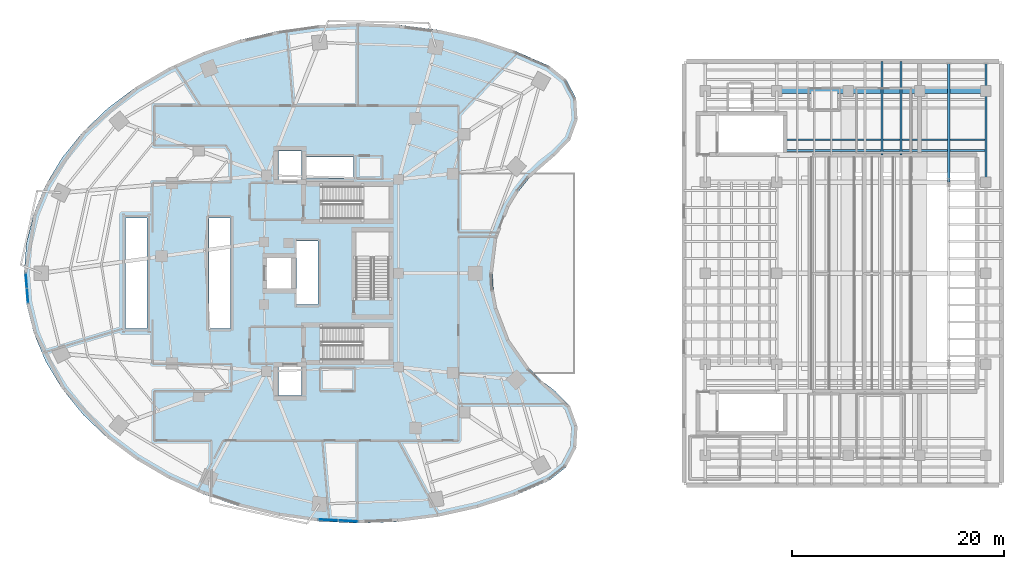
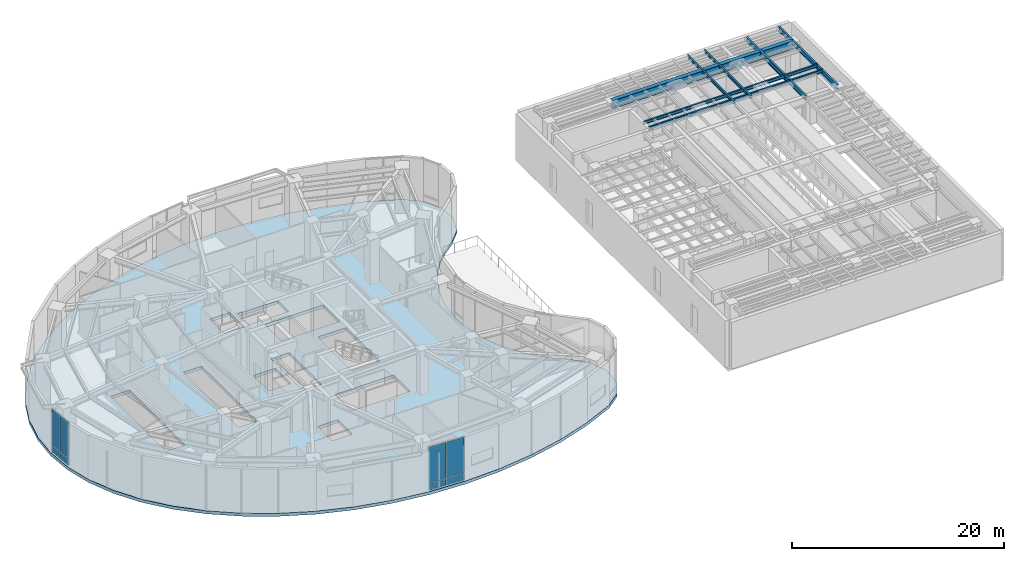
# One storey, part 9 of 19: 8 beams, 8 plates, 1 slab, 2 elements without a shape of their own.
"""IFC4 building model written with IfcOpenShell, lengths in metres."""

from ifc_helpers import new_model, si_unit, direction, frame, origin, origin_2d, place, context, subcontext, project, spatial, polyline, rectangle, i_section, outline, extrude, material, layer, layer_set, material_profile, profile_set, type_object, element, aggregate, save


model = new_model("IFC4")

# Units and contexts
model_context = context("Model", 3, precision=1e-05, world=origin(), true_north=direction((0.0, 1.0)))
body_context = subcontext(model_context, "Body", "Model", "MODEL_VIEW")
ifc_project = project(units=[si_unit("LENGTHUNIT", "METRE"), si_unit("AREAUNIT", "SQUARE_METRE"), si_unit("VOLUMEUNIT", "CUBIC_METRE"), si_unit("PLANEANGLEUNIT", "RADIAN"), si_unit("MASSUNIT", "GRAM", prefix="KILO")], contexts=[model_context])

# Site, building, storey
site_placement = place(None, origin())
site = spatial("IfcSite", under=ifc_project, at=site_placement, CompositionType="ELEMENT")
building_placement = place(site_placement, origin())
building = spatial("IfcBuilding", under=site, at=building_placement, Name="Korentha Bioscience Tower", CompositionType="ELEMENT")
storey_placement = place(building_placement, frame((0.0, 0.0, 20.39990234375)))
storey = spatial("IfcBuildingStorey", under=building, at=storey_placement, Name="L04", CompositionType="ELEMENT", Elevation=20.39990234375)

# Beams
ifc_material_1 = material(Name="Steel S355", Category="steel")
ifc_material_profile_1 = material_profile(ifc_material_1, i_section(OverallWidth=0.208984375, OverallDepth=0.532958984375, WebThickness=0.01025390625, FlangeThickness=0.015625, at=origin_2d()), Name="Steel S355")
ifc_profile_set_1 = profile_set([ifc_material_profile_1], Name="Steel S355 (SB-530)")
beam_type_1 = type_object("IfcBeamType", Name="Perimeter Ring Spandrel Girder W530x92", PredefinedType="SPANDREL", material=ifc_profile_set_1)
beam_1_placement = place(storey_placement, frame((89.5, 35.60009765625, 5.133544921875), z_axis=(0.0, 1.0, 0.0), x_axis=(-1.0, 0.0, 0.0)))
element("IfcBeam", 1, at=beam_1_placement, inside=storey, type_object=beam_type_1, Name="L04 Theatre Collector Girder 3-3", PredefinedType="SPANDREL", context=body_context, shape_type="SweptSolid", body=[
    extrude(i_section(OverallWidth=0.208984375, OverallDepth=0.532958984375, WebThickness=0.01025390625, FlangeThickness=0.015625, at=origin_2d()), origin(), (0.0, 0.0, 1.0), 11.18994140625),
])
beam_2_placement = place(storey_placement, frame((93.0, 35.60009765625, 5.133544921875), z_axis=(0.0, 1.0, 0.0), x_axis=(-1.0, 0.0, 0.0)))
element("IfcBeam", 2, at=beam_2_placement, inside=storey, type_object=beam_type_1, Name="L04 Theatre Collector Girder 4-5", PredefinedType="SPANDREL", context=body_context, shape_type="SweptSolid", body=[
    extrude(i_section(OverallWidth=0.208984375, OverallDepth=0.532958984375, WebThickness=0.01025390625, FlangeThickness=0.015625, at=origin_2d()), origin(), (0.0, 0.0, 1.0), 8.599853515625),
])
beam_3_placement = place(storey_placement, frame((93.0, 44.199951171875, 5.133544921875), z_axis=(0.0, 1.0, 0.0), x_axis=(-1.0, 0.0, 0.0)))
element("IfcBeam", 3, at=beam_3_placement, inside=storey, type_object=beam_type_1, Name="L04 Theatre Collector Girder 4-6", PredefinedType="SPANDREL", context=body_context, shape_type="SweptSolid", body=[
    extrude(i_section(OverallWidth=0.208984375, OverallDepth=0.532958984375, WebThickness=0.01025390625, FlangeThickness=0.015625, at=origin_2d()), origin(), (0.0, 0.0, 1.0), 2.590087890625),
])
ifc_material_profile_2 = material_profile(ifc_material_1, i_section(OverallWidth=0.1708984375, OverallDepth=0.35498046875, WebThickness=0.007080078125, FlangeThickness=0.01171875, at=origin_2d()), Name="Steel S355")
ifc_profile_set_2 = profile_set([ifc_material_profile_2], Name="Steel S355 (JB-360)")
beam_type_2 = type_object("IfcBeamType", Name="Secondary Laboratory Joist W360x51", PredefinedType="JOIST", material=ifc_profile_set_2)
for number, where, z_axis, x_axis, name in (
    (4, (74.0400390625, 38.60009765625, 5.22265625), (1.0, 0.0, 0.0), (0.0, 1.0, 0.0), "L04 Theatre Wing Secondary Joist 08"),
    (5, (74.0400390625, 39.60009765625, 5.22265625), (1.0, 0.0, 0.0), (0.0, 1.0, 0.0), "L04 Theatre Wing Secondary Joist 09"),
):
    element("IfcBeam", number, at=place(storey_placement, frame(where, z_axis=z_axis, x_axis=x_axis)), inside=storey, type_object=beam_type_2, Name=name, PredefinedType="JOIST", context=body_context, shape_type="SweptSolid", body=[
        extrude(i_section(OverallWidth=0.1708984375, OverallDepth=0.35498046875, WebThickness=0.007080078125, FlangeThickness=0.01171875, at=origin_2d()), origin(), (0.0, 0.0, 1.0), 18.9599609375),
    ])
for number, where, z_axis, x_axis, name in (
    (6, (83.199951171875, 38.14990234375, 5.22265625), (0.0, 1.0, 0.0), (-1.0, 0.0, 0.0), "L04 North Wing Longitudinal Joist 10"),
    (7, (85.0, 38.14990234375, 5.22265625), (0.0, 1.0, 0.0), (-1.0, 0.0, 0.0), "L04 North Wing Longitudinal Joist 11"),
):
    element("IfcBeam", number, at=place(storey_placement, frame(where, z_axis=z_axis, x_axis=x_axis)), inside=storey, type_object=beam_type_2, Name=name, PredefinedType="JOIST", context=body_context, shape_type="SweptSolid", body=[
        extrude(i_section(OverallWidth=0.1708984375, OverallDepth=0.35498046875, WebThickness=0.007080078125, FlangeThickness=0.01171875, at=origin_2d()), origin(), (0.0, 0.0, 1.0), 8.85009765625),
    ])
ifc_material_profile_3 = material_profile(ifc_material_1, i_section(OverallWidth=0.449951171875, OverallDepth=0.949951171875, WebThickness=0.02001953125, FlangeThickness=0.034912109375, at=origin_2d()), Name="Steel S355")
ifc_profile_set_3 = profile_set([ifc_material_profile_3], Name="Steel S355 (TB-950)")
beam_type_3 = type_object("IfcBeamType", Name="Theatre Primary Girder CVS 950x374", PredefinedType="BEAM", material=ifc_profile_set_3)
beam_4_placement = place(storey_placement, frame((73.25, 44.199951171875, 4.925048828125), z_axis=(1.0, 0.0, 0.0), x_axis=(0.0, 1.0, 0.0)))
element("IfcBeam", 8, at=beam_4_placement, inside=storey, type_object=beam_type_3, Name="L04 Theatre Long-Span Girder 5", PredefinedType="BEAM", context=body_context, shape_type="SweptSolid", body=[
    extrude(i_section(OverallWidth=0.449951171875, OverallDepth=0.949951171875, WebThickness=0.02001953125, FlangeThickness=0.034912109375, at=origin_2d()), origin(), (0.0, 0.0, 1.0), 19.75),
])

# Curtain wall, plates
ifc_material_2 = material(Name="Stone-Clad Aluminium Frame", Category="masonry")
ifc_layer_1 = layer(ifc_material_2, 0.219970703125, Name="Stone-Clad Aluminium Frame")
ifc_layer_set_1 = layer_set([ifc_layer_1], Name="Stone-Clad Aluminium Frame (CW-P1)")
curtain_wall_type = type_object("IfcCurtainWallType", Name="Podium Double-Height Stone-Mullion Curtain Wall CW-P1", PredefinedType="USERDEFINED", material=ifc_layer_set_1)
curtain_wall_1_placement = place(storey_placement, origin())
curtain_wall_1 = element("IfcCurtainWall", 9, at=curtain_wall_1_placement, inside=storey, type_object=curtain_wall_type, Name="L04 Curtain Wall 19", ObjectType="UNITISED", PredefinedType="USERDEFINED")
ifc_material_3 = material(Name="Triple-Glazed Low-E Insulated Glass", Category="glass")
ifc_layer_2 = layer(ifc_material_3, 0.0439453125, Name="Triple-Glazed Low-E Insulated Glass")
ifc_layer_set_2 = layer_set([ifc_layer_2], Name="Triple-Glazed Low-E Insulated Glass (GL-44)")
plate_type = type_object("IfcPlateType", Name="Glazed Panel 44mm", PredefinedType="CURTAIN_PANEL", material=ifc_layer_set_2)
plate_1_placement = place(storey_placement, frame((2.4169921875, 26.302734375, 0.08984375), z_axis=(0.0, 0.0, 1.0), x_axis=(0.080820466375, -0.996728675325, 0.0)))
plate_1 = element("IfcPlate", 10, at=plate_1_placement, type_object=plate_type, Name="CW-L04-19 Bay 1 Glazed Panel 1", PredefinedType="CURTAIN_PANEL", context=body_context, shape_type="SweptSolid", body=[
    extrude(rectangle(XDim=1.324951171875, YDim=0.0439453125, at=origin_2d()), origin(), (0.0, 0.0, 1.0), 0.715087890625),
])
plate_2_placement = place(storey_placement, frame((2.4169921875, 26.302734375, 0.89501953125), z_axis=(0.0, 0.0, 1.0), x_axis=(0.080820466375, -0.996728675325, 0.0)))
plate_2 = element("IfcPlate", 11, at=plate_2_placement, type_object=plate_type, Name="CW-L04-19 Bay 1 Glazed Panel 2", PredefinedType="CURTAIN_PANEL", context=body_context, shape_type="SweptSolid", body=[
    extrude(rectangle(XDim=1.324951171875, YDim=0.0439453125, at=origin_2d()), origin(), (0.0, 0.0, 1.0), 4.114990234375),
])
plate_3_placement = place(storey_placement, frame((2.531494140625, 24.892333984375, 0.08984375), z_axis=(0.0, 0.0, 1.0), x_axis=(0.080820466375, -0.996728675325, 0.0)))
plate_3 = element("IfcPlate", 12, at=plate_3_placement, type_object=plate_type, Name="CW-L04-19 Bay 2 Glazed Panel 1", PredefinedType="CURTAIN_PANEL", context=body_context, shape_type="SweptSolid", body=[
    extrude(rectangle(XDim=1.324951171875, YDim=0.0439453125, at=origin_2d()), origin(), (0.0, 0.0, 1.0), 0.715087890625),
])
plate_4_placement = place(storey_placement, frame((2.531494140625, 24.892333984375, 0.89501953125), z_axis=(0.0, 0.0, 1.0), x_axis=(0.080820466375, -0.996728675325, 0.0)))
plate_4 = element("IfcPlate", 13, at=plate_4_placement, type_object=plate_type, Name="CW-L04-19 Bay 2 Glazed Panel 2", PredefinedType="CURTAIN_PANEL", context=body_context, shape_type="SweptSolid", body=[
    extrude(rectangle(XDim=1.324951171875, YDim=0.0439453125, at=origin_2d()), origin(), (0.0, 0.0, 1.0), 4.114990234375),
])
aggregate(curtain_wall_1, [plate_1, plate_2, plate_3, plate_4])

curtain_wall_2_placement = place(storey_placement, origin())
curtain_wall_2 = element("IfcCurtainWall", 14, at=curtain_wall_2_placement, inside=storey, type_object=curtain_wall_type, Name="L04 Curtain Wall 31", ObjectType="UNITISED", PredefinedType="USERDEFINED")
plate_5_placement = place(storey_placement, frame((30.90478515625, 3.70458984375, 0.08984375), z_axis=(0.0, 0.0, 1.0), x_axis=(0.998730551641, -0.050371472279, 0.0)))
plate_5 = element("IfcPlate", 15, at=plate_5_placement, type_object=plate_type, Name="CW-L04-31 Bay 1 Glazed Panel 1", PredefinedType="CURTAIN_PANEL", context=body_context, shape_type="SweptSolid", body=[
    extrude(rectangle(XDim=1.8134765625, YDim=0.0439453125, at=origin_2d()), origin(), (0.0, 0.0, 1.0), 0.715087890625),
])
plate_6_placement = place(storey_placement, frame((30.90478515625, 3.70458984375, 0.89501953125), z_axis=(0.0, 0.0, 1.0), x_axis=(0.998730551641, -0.050371472279, 0.0)))
plate_6 = element("IfcPlate", 16, at=plate_6_placement, type_object=plate_type, Name="CW-L04-31 Bay 1 Glazed Panel 2", PredefinedType="CURTAIN_PANEL", context=body_context, shape_type="SweptSolid", body=[
    extrude(rectangle(XDim=1.8134765625, YDim=0.0439453125, at=origin_2d()), origin(), (0.0, 0.0, 1.0), 4.114990234375),
])
plate_7_placement = place(storey_placement, frame((32.805908203125, 3.608642578125, 0.08984375), z_axis=(0.0, 0.0, 1.0), x_axis=(0.998730551641, -0.050371472279, 0.0)))
plate_7 = element("IfcPlate", 17, at=plate_7_placement, type_object=plate_type, Name="CW-L04-31 Bay 2 Glazed Panel 1", PredefinedType="CURTAIN_PANEL", context=body_context, shape_type="SweptSolid", body=[
    extrude(rectangle(XDim=1.8134765625, YDim=0.0439453125, at=origin_2d()), origin(), (0.0, 0.0, 1.0), 0.715087890625),
])
plate_8_placement = place(storey_placement, frame((32.805908203125, 3.608642578125, 0.89501953125), z_axis=(0.0, 0.0, 1.0), x_axis=(0.998730551641, -0.050371472279, 0.0)))
plate_8 = element("IfcPlate", 18, at=plate_8_placement, type_object=plate_type, Name="CW-L04-31 Bay 2 Glazed Panel 2", PredefinedType="CURTAIN_PANEL", context=body_context, shape_type="SweptSolid", body=[
    extrude(rectangle(XDim=1.8134765625, YDim=0.0439453125, at=origin_2d()), origin(), (0.0, 0.0, 1.0), 4.114990234375),
])
aggregate(curtain_wall_2, [plate_5, plate_6, plate_7, plate_8])

# Slab
ifc_material_4 = material(Name="Concrete C65", Category="concrete")
ifc_layer_3 = layer(ifc_material_4, 0.35009765625, Name="Concrete C65")
ifc_layer_set_3 = layer_set([ifc_layer_3], Name="Concrete C65 (SL-T350)")
slab_type = type_object("IfcSlabType", Name="Transfer Deck Structural Slab 350", PredefinedType="FLOOR", material=ifc_layer_set_3)
slab_placement = place(storey_placement, frame((0.0, 0.0, -0.349853515625)))
element("IfcSlab", 19, at=slab_placement, inside=storey, type_object=slab_type, Name="L04 Tower Structural Floor Slab", PredefinedType="FLOOR", context=body_context, shape_type="SweptSolid", body=[
    extrude(outline(polyline([(51.7822265625, 46.565185546875), (48.49169921875, 48.0068359375), (44.9921875, 49.145263671875), (41.33349609375, 49.9638671875), (37.569091796875, 50.450927734375), (33.75341796875, 50.599365234375), (29.94091796875, 50.406982421875), (26.187255859375, 49.876708984375), (22.54638671875, 49.01611328125), (19.07080078125, 47.837646484375), (15.810791015625, 46.358154296875), (12.8134765625, 44.599365234375), (10.1220703125, 42.58642578125), (7.775390625, 40.348388671875), (5.807373046875, 37.91748046875), (4.246337890625, 35.3291015625), (3.114990234375, 32.62060546875), (2.4296875, 29.830810546875), (2.199951171875, 27.0), (2.4296875, 24.169189453125), (3.114990234375, 21.37939453125), (4.246337890625, 18.6708984375), (5.807373046875, 16.08251953125), (7.775390625, 13.651611328125), (10.1220703125, 11.41357421875), (12.8134765625, 9.400634765625), (15.810791015625, 7.641845703125), (19.07080078125, 6.162353515625), (22.54638671875, 4.98388671875), (26.187255859375, 4.123291015625), (29.94091796875, 3.593017578125), (33.75341796875, 3.400634765625), (37.569091796875, 3.549072265625), (41.33349609375, 4.0361328125), (44.9921875, 4.854736328125), (48.49169921875, 5.9931640625), (51.7822265625, 7.434814453125), (53.368408203125, 8.69775390625), (54.307373046875, 10.4951171875), (54.4384765625, 12.518310546875), (53.739013671875, 14.421630859375), (52.3291015625, 15.878662109375), (51.029541015625, 16.875732421875), (49.861328125, 18.023681640625), (48.841796875, 19.3056640625), (47.98583984375, 20.7021484375), (47.306640625, 22.192626953125), (46.814208984375, 23.754638671875), (46.515625, 25.365234375), (46.415771484375, 27.0), (46.515625, 28.634765625), (46.814208984375, 30.245361328125), (47.306640625, 31.807373046875), (47.98583984375, 33.2978515625), (48.841796875, 34.6943359375), (49.861328125, 35.976318359375), (51.029541015625, 37.124267578125), (52.3291015625, 38.121337890625), (53.739013671875, 39.578369140625), (54.4384765625, 41.481689453125), (54.307373046875, 43.5048828125), (53.368408203125, 45.30224609375), (51.7822265625, 46.565185546875)]), holes=[polyline([(30.25, 32.10009765625), (36.64990234375, 32.10009765625), (36.64990234375, 35.199951171875), (30.25, 35.199951171875), (30.25, 32.10009765625)]), polyline([(30.25, 18.800048828125), (36.64990234375, 18.800048828125), (36.64990234375, 21.89990234375), (30.25, 21.89990234375), (30.25, 18.800048828125)]), polyline([(36.64990234375, 24.550048828125), (36.64990234375, 30.89990234375), (33.550048828125, 30.89990234375), (33.550048828125, 24.550048828125), (36.64990234375, 24.550048828125)]), polyline([(11.780029296875, 21.780029296875), (13.820068359375, 21.780029296875), (13.820068359375, 32.219970703125), (11.780029296875, 32.219970703125), (11.780029296875, 21.780029296875)]), polyline([(19.679931640625, 21.780029296875), (21.669921875, 21.780029296875), (21.669921875, 32.219970703125), (19.679931640625, 32.219970703125), (19.679931640625, 21.780029296875)]), polyline([(27.929931640625, 24.030029296875), (29.969970703125, 24.030029296875), (29.969970703125, 30.02001953125), (27.929931640625, 30.02001953125), (27.929931640625, 24.030029296875)]), polyline([(28.860107421875, 35.93994140625), (33.31005859375, 35.93994140625), (33.31005859375, 37.9599609375), (28.860107421875, 37.9599609375), (28.860107421875, 35.93994140625)]), polyline([(26.199951171875, 15.449951171875), (28.39990234375, 15.449951171875), (28.39990234375, 18.14990234375), (26.199951171875, 18.14990234375), (26.199951171875, 15.449951171875)]), polyline([(26.199951171875, 35.85009765625), (28.39990234375, 35.85009765625), (28.39990234375, 38.550048828125), (26.199951171875, 38.550048828125), (26.199951171875, 35.85009765625)]), polyline([(25.14990234375, 25.550048828125), (27.550048828125, 25.550048828125), (27.550048828125, 28.449951171875), (25.14990234375, 28.449951171875), (25.14990234375, 25.550048828125)])]), origin(), (0.0, 0.0, 1.0), 0.349853515625),
])

save(model, "model.ifc")
